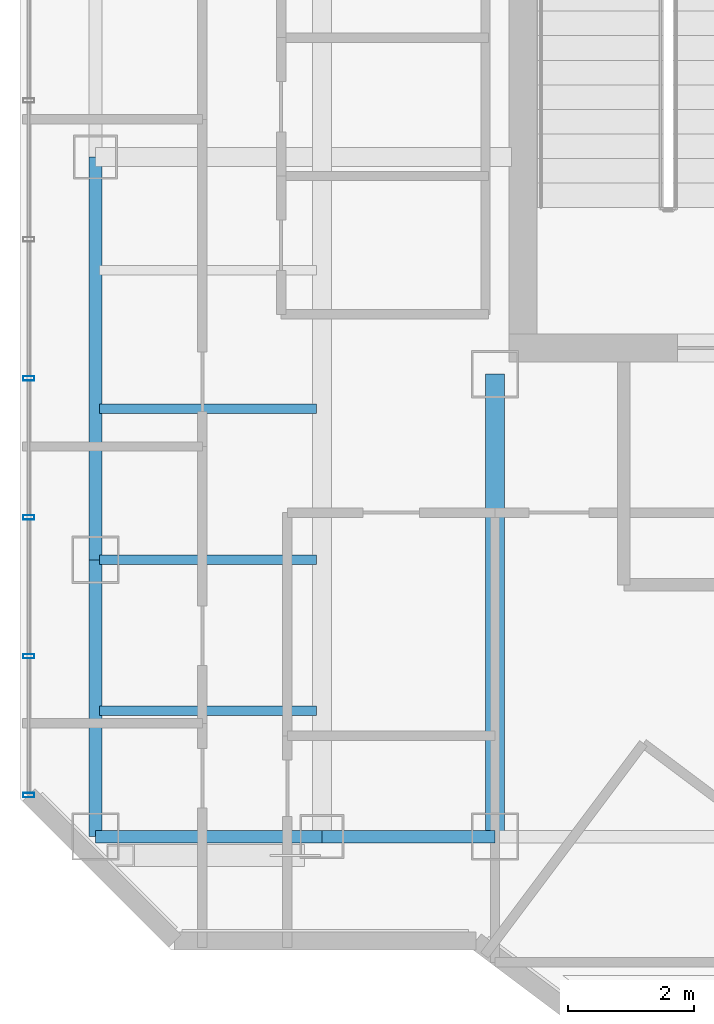
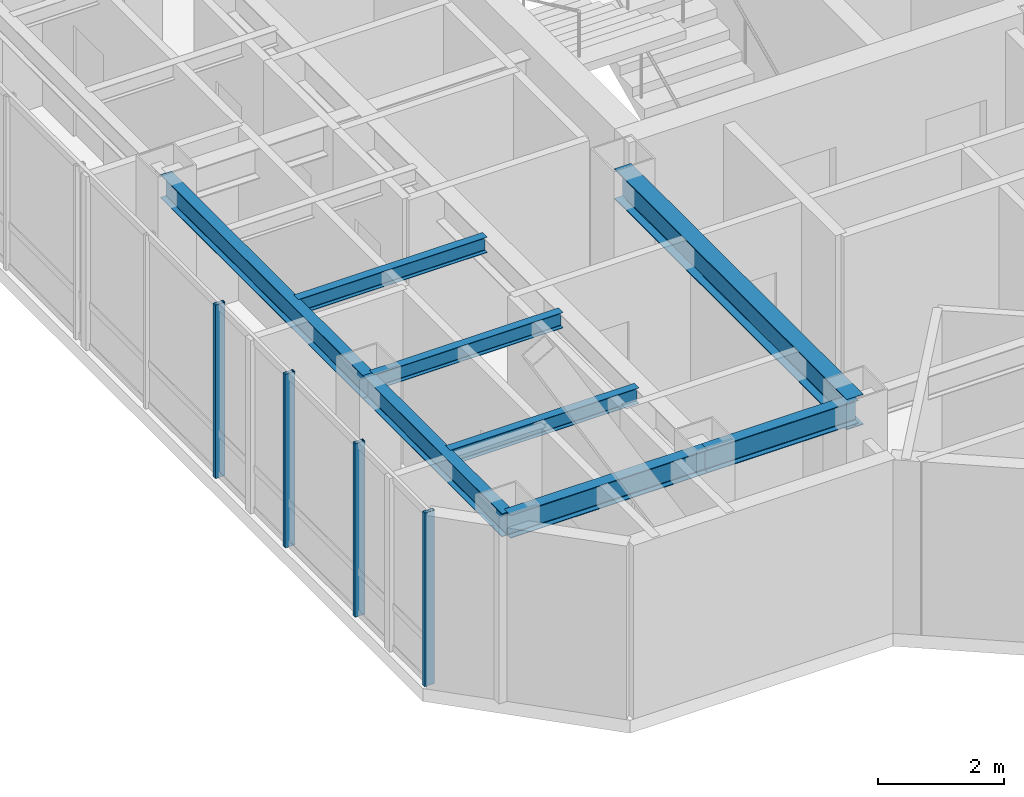
# One storey, part 4 of 26: 8 beams, 4 members, 1 element without a shape of its own.
"""IFC4 building model written with IfcOpenShell, lengths in metres."""

from ifc_helpers import new_model, si_unit, direction, frame, origin, origin_2d, place, context, subcontext, project, spatial, hollow_rectangle, i_section, extrude, material, layer, layer_set, material_profile, profile_set, type_object, element, aggregate, save


model = new_model("IFC4")

# Units and contexts
model_context = context("Model", 3, precision=1e-05, world=origin(), true_north=direction((0.0, 1.0)))
body_context = subcontext(model_context, "Body", "Model", "MODEL_VIEW")
ifc_project = project(units=[si_unit("LENGTHUNIT", "METRE"), si_unit("AREAUNIT", "SQUARE_METRE"), si_unit("VOLUMEUNIT", "CUBIC_METRE"), si_unit("PLANEANGLEUNIT", "RADIAN"), si_unit("MASSUNIT", "GRAM", prefix="KILO")], contexts=[model_context])

# Site, building, storey
site_placement = place(None, origin())
site = spatial("IfcSite", under=ifc_project, at=site_placement, CompositionType="ELEMENT")
building_placement = place(site_placement, origin())
building = spatial("IfcBuilding", under=site, at=building_placement, Name="Hatsunagi Terrace Concourse", CompositionType="ELEMENT")
storey_placement = place(building_placement, frame((0.0, 0.0, 195.14990234375)))
storey = spatial("IfcBuildingStorey", under=building, at=storey_placement, Name="L51", CompositionType="ELEMENT", Elevation=195.14990234375)

# Curtain wall, members
ifc_material_1 = material(Name="Anodised Aluminium Alloy 6063-T5", Category="aluminium")
ifc_layer = layer(ifc_material_1, 0.199951171875)
ifc_layer_set = layer_set([ifc_layer], Name="OfficeZone2_CW04")
curtain_wall_type = type_object("IfcCurtainWallType", Name="OfficeZone2_CW04", PredefinedType="NOTDEFINED", material=ifc_layer_set)
curtain_wall_placement = place(storey_placement, origin())
curtain_wall = element("IfcCurtainWall", 1, at=curtain_wall_placement, inside=storey, type_object=curtain_wall_type, Name="Unitised Curtain Wall CW-04 CW-L51-08", PredefinedType="NOTDEFINED")
ifc_material_2 = material(Name="Anodised Aluminium Alloy 6063-T5", Category="aluminium")
ifc_material_profile_1 = material_profile(ifc_material_2, hollow_rectangle(XDim=0.070068359375, YDim=0.179931640625, WallThickness=0.00390625, at=origin_2d()), Name="ALU-MUL-180x70x4")
ifc_profile_set_1 = profile_set([ifc_material_profile_1], Name="Anodised Aluminium Alloy 6063-T5")
member_type = type_object("IfcMemberType", Name="CurtainWallMullion_180x70", PredefinedType="MULLION", material=ifc_profile_set_1)
member_1_placement = place(storey_placement, frame((18.139892578125, 25.85791015625, 0.0), z_axis=(0.0, 0.0, 1.0), x_axis=(0.0, 1.0, 0.0)))
member_1 = element("IfcMember", 2, at=member_1_placement, type_object=member_type, Name="Curtain Wall Mullion MUL-02", PredefinedType="MULLION", context=body_context, shape_type="SweptSolid", body=[
    extrude(hollow_rectangle(XDim=0.070068359375, YDim=0.179931640625, WallThickness=0.00390625, at=origin_2d()), origin(), (0.0, 0.0, 1.0), 3.35009765625),
])
member_2_placement = place(storey_placement, frame((18.139892578125, 28.06591796875, 0.0), z_axis=(0.0, 0.0, 1.0), x_axis=(0.0, 1.0, 0.0)))
member_2 = element("IfcMember", 3, at=member_2_placement, type_object=member_type, Name="Curtain Wall Mullion MUL-02", PredefinedType="MULLION", context=body_context, shape_type="SweptSolid", body=[
    extrude(hollow_rectangle(XDim=0.070068359375, YDim=0.179931640625, WallThickness=0.00390625, at=origin_2d()), origin(), (0.0, 0.0, 1.0), 3.35009765625),
])
member_3_placement = place(storey_placement, frame((18.139892578125, 30.27490234375, 0.0), z_axis=(0.0, 0.0, 1.0), x_axis=(0.0, 1.0, 0.0)))
member_3 = element("IfcMember", 4, at=member_3_placement, type_object=member_type, Name="Curtain Wall Mullion MUL-02", PredefinedType="MULLION", context=body_context, shape_type="SweptSolid", body=[
    extrude(hollow_rectangle(XDim=0.070068359375, YDim=0.179931640625, WallThickness=0.00390625, at=origin_2d()), origin(), (0.0, 0.0, 1.0), 3.35009765625),
])
member_4_placement = place(storey_placement, frame((18.139892578125, 32.48291015625, 0.0), z_axis=(0.0, 0.0, 1.0), x_axis=(0.0, 1.0, 0.0)))
member_4 = element("IfcMember", 5, at=member_4_placement, type_object=member_type, Name="Curtain Wall Mullion MUL-02", PredefinedType="MULLION", context=body_context, shape_type="SweptSolid", body=[
    extrude(hollow_rectangle(XDim=0.070068359375, YDim=0.179931640625, WallThickness=0.00390625, at=origin_2d()), origin(), (0.0, 0.0, 1.0), 3.35009765625),
])
aggregate(curtain_wall, [member_1, member_2, member_3, member_4])

# Beams
ifc_material_3 = material(Name="Steel SN490B", Category="steel")
ifc_material_profile_2 = material_profile(ifc_material_3, i_section(OverallWidth=0.300048828125, OverallDepth=0.587890625, WebThickness=0.011962890625, FlangeThickness=0.02001953125, FilletRadius=0.01806640625, at=origin_2d()), Name="H-588x300x12x20")
ifc_profile_set_2 = profile_set([ifc_material_profile_2], Name="Steel SN490B")
beam_type_1 = type_object("IfcBeamType", Name="OfficeHighGirder_H_588x300", PredefinedType="BEAM", material=ifc_profile_set_2)
beam_1_placement = place(storey_placement, frame((25.550048828125, 25.199951171875, 3.05615234375), z_axis=(0.0, 1.0, 0.0), x_axis=(-1.0, 0.0, 0.0)))
element("IfcBeam", 6, at=beam_1_placement, inside=storey, type_object=beam_type_1, Name="Beam G-06 BM-L51-K1CA", PredefinedType="BEAM", context=body_context, shape_type="SweptSolid", body=[
    extrude(i_section(OverallWidth=0.300048828125, OverallDepth=0.587890625, WebThickness=0.011962890625, FlangeThickness=0.02001953125, FilletRadius=0.01806640625, at=origin_2d()), origin(), (0.0, 0.0, 1.0), 7.35009765625),
])
ifc_material_4 = material(Name="Steel SN490B", Category="steel")
ifc_material_profile_3 = material_profile(ifc_material_4, i_section(OverallWidth=0.14990234375, OverallDepth=0.300048828125, WebThickness=0.006591796875, FlangeThickness=0.009033203125, FilletRadius=0.010986328125, at=origin_2d()), Name="H-300x150x6.5x9")
ifc_profile_set_3 = profile_set([ifc_material_profile_3], Name="Steel SN490B")
beam_type_2 = type_object("IfcBeamType", Name="OfficeJoist_H_300x150", PredefinedType="JOIST", material=ifc_profile_set_3)
for number, where, z_axis, x_axis, name in (
    (7, (19.264892578125, 27.199951171875, 3.2001953125), (1.0, 0.0, 0.0), (0.0, 1.0, 0.0), "Beam J-03 J-L51-W-19-272"),
    (8, (19.264892578125, 29.60009765625, 3.2001953125), (1.0, 0.0, 0.0), (0.0, 1.0, 0.0), "Beam J-03 J-L51-W-19-296"),
    (9, (19.264892578125, 32.0, 3.2001953125), (1.0, 0.0, 0.0), (0.0, 1.0, 0.0), "Beam J-03 J-L51-W-19-320"),
):
    element("IfcBeam", number, at=place(storey_placement, frame(where, z_axis=z_axis, x_axis=x_axis)), inside=storey, type_object=beam_type_2, Name=name, PredefinedType="JOIST", context=body_context, shape_type="SweptSolid", body=[
        extrude(i_section(OverallWidth=0.14990234375, OverallDepth=0.300048828125, WebThickness=0.006591796875, FlangeThickness=0.009033203125, FilletRadius=0.010986328125, at=origin_2d()), origin(), (0.0, 0.0, 1.0), 3.4501953125),
    ])
ifc_material_5 = material(Name="Steel SN490B", Category="steel")
ifc_material_profile_4 = material_profile(ifc_material_5, i_section(OverallWidth=0.199951171875, OverallDepth=0.449951171875, WebThickness=0.009033203125, FlangeThickness=0.013916015625, FilletRadius=0.01611328125, at=origin_2d()), Name="H-450x200x9x14")
ifc_profile_set_4 = profile_set([ifc_material_profile_4], Name="Steel SN490B")
beam_type_3 = type_object("IfcBeamType", Name="PerimeterSpandrel_H_450x200", PredefinedType="SPANDREL", material=ifc_profile_set_4)
beam_2_placement = place(storey_placement, frame((19.199951171875, 25.199951171875, 3.125), z_axis=(1.0, 0.0, 0.0), x_axis=(0.0, 1.0, 0.0)))
element("IfcBeam", 10, at=beam_2_placement, inside=storey, type_object=beam_type_3, Name="Beam SP-02 BM-L51-WS-19", PredefinedType="SPANDREL", context=body_context, shape_type="SweptSolid", body=[
    extrude(i_section(OverallWidth=0.199951171875, OverallDepth=0.449951171875, WebThickness=0.009033203125, FlangeThickness=0.013916015625, FilletRadius=0.01611328125, at=origin_2d()), origin(), (0.0, 0.0, 1.0), 3.60009765625),
])
beam_3_placement = place(storey_placement, frame((22.800048828125, 25.199951171875, 3.125), z_axis=(1.0, 0.0, 0.0), x_axis=(0.0, 1.0, 0.0)))
element("IfcBeam", 11, at=beam_3_placement, inside=storey, type_object=beam_type_3, Name="Beam SP-02 BM-L51-WS-22", PredefinedType="SPANDREL", context=body_context, shape_type="SweptSolid", body=[
    extrude(i_section(OverallWidth=0.199951171875, OverallDepth=0.449951171875, WebThickness=0.009033203125, FlangeThickness=0.013916015625, FilletRadius=0.01611328125, at=origin_2d()), origin(), (0.0, 0.0, 1.0), 2.75),
])
beam_4_placement = place(storey_placement, frame((19.199951171875, 25.199951171875, 3.125), z_axis=(0.0, 1.0, 0.0), x_axis=(-1.0, 0.0, 0.0)))
element("IfcBeam", 12, at=beam_4_placement, inside=storey, type_object=beam_type_3, Name="Beam SP-02 BM-L51-NS-19-25", PredefinedType="SPANDREL", context=body_context, shape_type="SweptSolid", body=[
    extrude(i_section(OverallWidth=0.199951171875, OverallDepth=0.449951171875, WebThickness=0.009033203125, FlangeThickness=0.013916015625, FilletRadius=0.01611328125, at=origin_2d()), origin(), (0.0, 0.0, 1.0), 4.400146484375),
])
beam_5_placement = place(storey_placement, frame((19.199951171875, 29.60009765625, 3.125), z_axis=(0.0, 1.0, 0.0), x_axis=(-1.0, 0.0, 0.0)))
element("IfcBeam", 13, at=beam_5_placement, inside=storey, type_object=beam_type_3, Name="Beam SP-02 BM-L51-NS-19-29", PredefinedType="SPANDREL", context=body_context, shape_type="SweptSolid", body=[
    extrude(i_section(OverallWidth=0.199951171875, OverallDepth=0.449951171875, WebThickness=0.009033203125, FlangeThickness=0.013916015625, FilletRadius=0.01611328125, at=origin_2d()), origin(), (0.0, 0.0, 1.0), 6.39990234375),
])

save(model, "model.ifc")
